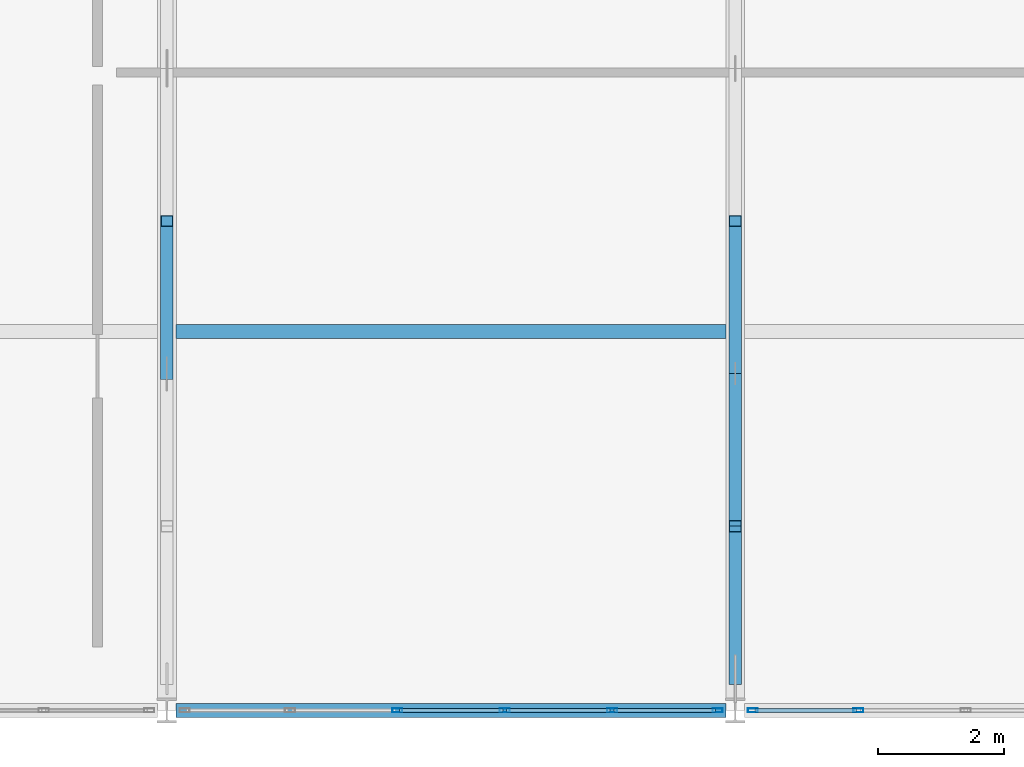
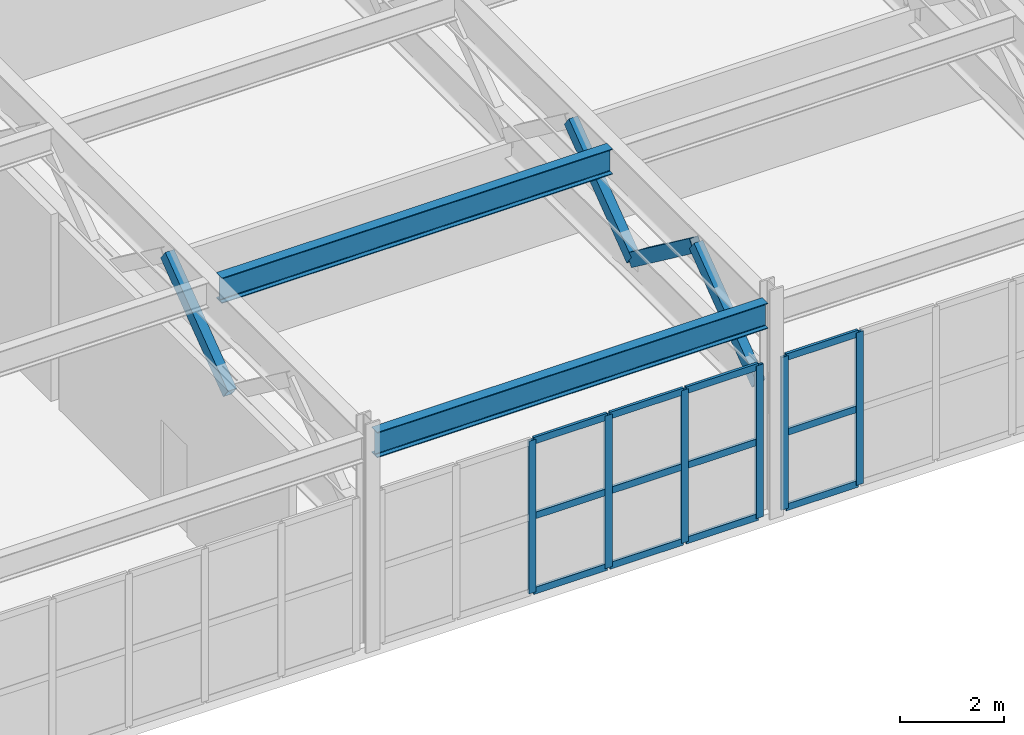
# One storey, part 37 of 210: 22 members, 2 beams, 2 elements without a shape of their own.
"""IFC4 building model written with IfcOpenShell, lengths in metres."""

from ifc_helpers import new_model, si_unit, direction, frame, origin, origin_2d, place, context, subcontext, project, spatial, hollow_rectangle, i_section, extrude, material, material_profile, profile_set, type_object, element, aggregate, save


model = new_model("IFC4")

# Units and contexts
model_context = context("Model", 3, precision=1e-05, world=origin(), true_north=direction((0.0, 1.0)))
body_context = subcontext(model_context, "Body", "Model", "MODEL_VIEW")
ifc_project = project(units=[si_unit("LENGTHUNIT", "METRE"), si_unit("AREAUNIT", "SQUARE_METRE"), si_unit("VOLUMEUNIT", "CUBIC_METRE"), si_unit("PLANEANGLEUNIT", "RADIAN"), si_unit("MASSUNIT", "GRAM", prefix="KILO")], contexts=[model_context])

# Site, building, storey
site_placement = place(None, origin())
site = spatial("IfcSite", under=ifc_project, at=site_placement, CompositionType="ELEMENT")
building_placement = place(site_placement, origin())
building = spatial("IfcBuilding", under=site, at=building_placement, Name="Kaldris Quays Convention Centre", CompositionType="ELEMENT")
storey_placement = place(building_placement, frame((0.0, 0.0, 6.0)))
storey = spatial("IfcBuildingStorey", under=building, at=storey_placement, Name="L01", CompositionType="ELEMENT", Elevation=6.0)

# Curtain wall, members
ifc_material_1 = material(Name="Anodized aluminium AW-6060 and triple glazing", Category="aluminium")
curtain_wall_type = type_object("IfcCurtainWallType", Name="UNITISED CURTAIN WALL CW05", PredefinedType="NOTDEFINED", material=ifc_material_1)
curtain_wall_1_placement = place(storey_placement, origin())
curtain_wall_1 = element("IfcCurtainWall", 1, at=curtain_wall_1_placement, inside=storey, type_object=curtain_wall_type, Name="L01 Unitised Curtain Wall CW05 67", PredefinedType="NOTDEFINED")
ifc_material_2 = material(Name="Anodized aluminium AW-6060", Category="aluminium")
ifc_material_profile_1 = material_profile(ifc_material_2, hollow_rectangle(XDim=0.06005859375, YDim=0.159912109375, WallThickness=0.00390625, at=origin_2d()), Name="RHS 160x60x4")
ifc_profile_set_1 = profile_set([ifc_material_profile_1], Name="Anodized aluminium AW-6060")
member_type_1 = type_object("IfcMemberType", Name="CURTAIN MULLION CWM1", PredefinedType="MULLION", material=ifc_profile_set_1)
member_1_placement = place(storey_placement, frame((59.64990234375, 16.0, 0.0), z_axis=(0.0, 0.0, 1.0), x_axis=(0.0, 1.0, 0.0)))
member_1 = element("IfcMember", 2, at=member_1_placement, type_object=member_type_1, Name="CW05 mullion 3", PredefinedType="MULLION", context=body_context, shape_type="SweptSolid", body=[
    extrude(hollow_rectangle(XDim=0.06005859375, YDim=0.159912109375, WallThickness=0.00390625, at=origin_2d()), origin(), (0.0, 0.0, 1.0), 3.60009765625),
])
member_2_placement = place(storey_placement, frame((61.35009765625, 16.0, 0.0), z_axis=(0.0, 0.0, 1.0), x_axis=(0.0, 1.0, 0.0)))
member_2 = element("IfcMember", 3, at=member_2_placement, type_object=member_type_1, Name="CW05 mullion 4", PredefinedType="MULLION", context=body_context, shape_type="SweptSolid", body=[
    extrude(hollow_rectangle(XDim=0.06005859375, YDim=0.159912109375, WallThickness=0.00390625, at=origin_2d()), origin(), (0.0, 0.0, 1.0), 3.60009765625),
])
member_3_placement = place(storey_placement, frame((63.050048828125, 16.0, 0.0), z_axis=(0.0, 0.0, 1.0), x_axis=(0.0, 1.0, 0.0)))
member_3 = element("IfcMember", 4, at=member_3_placement, type_object=member_type_1, Name="CW05 mullion 5", PredefinedType="MULLION", context=body_context, shape_type="SweptSolid", body=[
    extrude(hollow_rectangle(XDim=0.06005859375, YDim=0.159912109375, WallThickness=0.00390625, at=origin_2d()), origin(), (0.0, 0.0, 1.0), 3.60009765625),
])
member_4_placement = place(storey_placement, frame((64.719970703125, 16.0, 0.0), z_axis=(0.0, 0.0, 1.0), x_axis=(0.0, 1.0, 0.0)))
member_4 = element("IfcMember", 5, at=member_4_placement, type_object=member_type_1, Name="CW05 mullion 6", PredefinedType="MULLION", context=body_context, shape_type="SweptSolid", body=[
    extrude(hollow_rectangle(XDim=0.06005859375, YDim=0.159912109375, WallThickness=0.00390625, at=origin_2d()), origin(), (0.0, 0.0, 1.0), 3.60009765625),
])

curtain_wall_2_placement = place(storey_placement, origin())
curtain_wall_2 = element("IfcCurtainWall", 6, at=curtain_wall_2_placement, inside=storey, type_object=curtain_wall_type, Name="L01 Unitised Curtain Wall CW05 69", PredefinedType="NOTDEFINED")
member_5_placement = place(storey_placement, frame((65.280029296875, 16.0, 0.0), z_axis=(0.0, 0.0, 1.0), x_axis=(0.0, 1.0, 0.0)))
member_5 = element("IfcMember", 7, at=member_5_placement, type_object=member_type_1, Name="CW05 mullion 1", PredefinedType="MULLION", context=body_context, shape_type="SweptSolid", body=[
    extrude(hollow_rectangle(XDim=0.06005859375, YDim=0.159912109375, WallThickness=0.00390625, at=origin_2d()), origin(), (0.0, 0.0, 1.0), 3.60009765625),
])
member_6_placement = place(storey_placement, frame((66.949951171875, 16.0, 0.0), z_axis=(0.0, 0.0, 1.0), x_axis=(0.0, 1.0, 0.0)))
member_6 = element("IfcMember", 8, at=member_6_placement, type_object=member_type_1, Name="CW05 mullion 2", PredefinedType="MULLION", context=body_context, shape_type="SweptSolid", body=[
    extrude(hollow_rectangle(XDim=0.06005859375, YDim=0.159912109375, WallThickness=0.00390625, at=origin_2d()), origin(), (0.0, 0.0, 1.0), 3.60009765625),
])

# Member
ifc_material_profile_2 = material_profile(ifc_material_2, hollow_rectangle(XDim=0.06005859375, YDim=0.159912109375, WallThickness=0.00390625, at=origin_2d()), Name="RHS 160x60x4")
ifc_profile_set_2 = profile_set([ifc_material_profile_2], Name="Anodized aluminium AW-6060")
member_type_2 = type_object("IfcMemberType", Name="CURTAIN TRANSOM CWT2", PredefinedType="USERDEFINED", material=ifc_profile_set_2)
member_7_placement = place(storey_placement, frame((59.679931640625, 16.0, 0.030029296875), z_axis=(1.0, 0.0, 0.0), x_axis=(0.0, 1.0, 0.0)))
member_7 = element("IfcMember", 9, at=member_7_placement, type_object=member_type_2, Name="CW05 transom 3.1", ObjectType="TRANSOM", PredefinedType="USERDEFINED", context=body_context, shape_type="SweptSolid", body=[
    extrude(hollow_rectangle(XDim=0.06005859375, YDim=0.159912109375, WallThickness=0.00390625, at=origin_2d()), origin(), (0.0, 0.0, 1.0), 1.64013671875),
])

member_8_placement = place(storey_placement, frame((59.679931640625, 16.0, 1.800048828125), z_axis=(1.0, 0.0, 0.0), x_axis=(0.0, 1.0, 0.0)))
member_8 = element("IfcMember", 10, at=member_8_placement, type_object=member_type_2, Name="CW05 transom 3.2", ObjectType="TRANSOM", PredefinedType="USERDEFINED", context=body_context, shape_type="SweptSolid", body=[
    extrude(hollow_rectangle(XDim=0.06005859375, YDim=0.159912109375, WallThickness=0.00390625, at=origin_2d()), origin(), (0.0, 0.0, 1.0), 1.64013671875),
])

member_9_placement = place(storey_placement, frame((59.679931640625, 16.0, 3.570068359375), z_axis=(1.0, 0.0, 0.0), x_axis=(0.0, 1.0, 0.0)))
member_9 = element("IfcMember", 11, at=member_9_placement, type_object=member_type_2, Name="CW05 transom 3.3", ObjectType="TRANSOM", PredefinedType="USERDEFINED", context=body_context, shape_type="SweptSolid", body=[
    extrude(hollow_rectangle(XDim=0.06005859375, YDim=0.159912109375, WallThickness=0.00390625, at=origin_2d()), origin(), (0.0, 0.0, 1.0), 1.64013671875),
])

member_10_placement = place(storey_placement, frame((61.3798828125, 16.0, 0.030029296875), z_axis=(1.0, 0.0, 0.0), x_axis=(0.0, 1.0, 0.0)))
member_10 = element("IfcMember", 12, at=member_10_placement, type_object=member_type_2, Name="CW05 transom 4.1", ObjectType="TRANSOM", PredefinedType="USERDEFINED", context=body_context, shape_type="SweptSolid", body=[
    extrude(hollow_rectangle(XDim=0.06005859375, YDim=0.159912109375, WallThickness=0.00390625, at=origin_2d()), origin(), (0.0, 0.0, 1.0), 1.64013671875),
])

member_11_placement = place(storey_placement, frame((61.3798828125, 16.0, 1.800048828125), z_axis=(1.0, 0.0, 0.0), x_axis=(0.0, 1.0, 0.0)))
member_11 = element("IfcMember", 13, at=member_11_placement, type_object=member_type_2, Name="CW05 transom 4.2", ObjectType="TRANSOM", PredefinedType="USERDEFINED", context=body_context, shape_type="SweptSolid", body=[
    extrude(hollow_rectangle(XDim=0.06005859375, YDim=0.159912109375, WallThickness=0.00390625, at=origin_2d()), origin(), (0.0, 0.0, 1.0), 1.64013671875),
])

member_12_placement = place(storey_placement, frame((61.3798828125, 16.0, 3.570068359375), z_axis=(1.0, 0.0, 0.0), x_axis=(0.0, 1.0, 0.0)))
member_12 = element("IfcMember", 14, at=member_12_placement, type_object=member_type_2, Name="CW05 transom 4.3", ObjectType="TRANSOM", PredefinedType="USERDEFINED", context=body_context, shape_type="SweptSolid", body=[
    extrude(hollow_rectangle(XDim=0.06005859375, YDim=0.159912109375, WallThickness=0.00390625, at=origin_2d()), origin(), (0.0, 0.0, 1.0), 1.64013671875),
])

member_13_placement = place(storey_placement, frame((63.080078125, 16.0, 0.030029296875), z_axis=(1.0, 0.0, 0.0), x_axis=(0.0, 1.0, 0.0)))
member_13 = element("IfcMember", 15, at=member_13_placement, type_object=member_type_2, Name="CW05 transom 5.1", ObjectType="TRANSOM", PredefinedType="USERDEFINED", context=body_context, shape_type="SweptSolid", body=[
    extrude(hollow_rectangle(XDim=0.06005859375, YDim=0.159912109375, WallThickness=0.00390625, at=origin_2d()), origin(), (0.0, 0.0, 1.0), 1.60986328125),
])

member_14_placement = place(storey_placement, frame((63.080078125, 16.0, 1.800048828125), z_axis=(1.0, 0.0, 0.0), x_axis=(0.0, 1.0, 0.0)))
member_14 = element("IfcMember", 16, at=member_14_placement, type_object=member_type_2, Name="CW05 transom 5.2", ObjectType="TRANSOM", PredefinedType="USERDEFINED", context=body_context, shape_type="SweptSolid", body=[
    extrude(hollow_rectangle(XDim=0.06005859375, YDim=0.159912109375, WallThickness=0.00390625, at=origin_2d()), origin(), (0.0, 0.0, 1.0), 1.60986328125),
])

member_15_placement = place(storey_placement, frame((63.080078125, 16.0, 3.570068359375), z_axis=(1.0, 0.0, 0.0), x_axis=(0.0, 1.0, 0.0)))
member_15 = element("IfcMember", 17, at=member_15_placement, type_object=member_type_2, Name="CW05 transom 5.3", ObjectType="TRANSOM", PredefinedType="USERDEFINED", context=body_context, shape_type="SweptSolid", body=[
    extrude(hollow_rectangle(XDim=0.06005859375, YDim=0.159912109375, WallThickness=0.00390625, at=origin_2d()), origin(), (0.0, 0.0, 1.0), 1.60986328125),
])

aggregate(curtain_wall_1, [member_1, member_2, member_3, member_4, member_7, member_8, member_9, member_10, member_11, member_12, member_13, member_14, member_15])

member_16_placement = place(storey_placement, frame((65.31005859375, 16.0, 0.030029296875), z_axis=(1.0, 0.0, 0.0), x_axis=(0.0, 1.0, 0.0)))
member_16 = element("IfcMember", 18, at=member_16_placement, type_object=member_type_2, Name="CW05 transom 1.1", ObjectType="TRANSOM", PredefinedType="USERDEFINED", context=body_context, shape_type="SweptSolid", body=[
    extrude(hollow_rectangle(XDim=0.06005859375, YDim=0.159912109375, WallThickness=0.00390625, at=origin_2d()), origin(), (0.0, 0.0, 1.0), 1.60986328125),
])

member_17_placement = place(storey_placement, frame((65.31005859375, 16.0, 1.800048828125), z_axis=(1.0, 0.0, 0.0), x_axis=(0.0, 1.0, 0.0)))
member_17 = element("IfcMember", 19, at=member_17_placement, type_object=member_type_2, Name="CW05 transom 1.2", ObjectType="TRANSOM", PredefinedType="USERDEFINED", context=body_context, shape_type="SweptSolid", body=[
    extrude(hollow_rectangle(XDim=0.06005859375, YDim=0.159912109375, WallThickness=0.00390625, at=origin_2d()), origin(), (0.0, 0.0, 1.0), 1.60986328125),
])

member_18_placement = place(storey_placement, frame((65.31005859375, 16.0, 3.570068359375), z_axis=(1.0, 0.0, 0.0), x_axis=(0.0, 1.0, 0.0)))
member_18 = element("IfcMember", 20, at=member_18_placement, type_object=member_type_2, Name="CW05 transom 1.3", ObjectType="TRANSOM", PredefinedType="USERDEFINED", context=body_context, shape_type="SweptSolid", body=[
    extrude(hollow_rectangle(XDim=0.06005859375, YDim=0.159912109375, WallThickness=0.00390625, at=origin_2d()), origin(), (0.0, 0.0, 1.0), 1.60986328125),
])

aggregate(curtain_wall_2, [member_5, member_6, member_16, member_17, member_18])

# Beams
ifc_material_3 = material(Name="Steel S355J2", Category="steel")
ifc_material_profile_3 = material_profile(ifc_material_3, i_section(OverallWidth=0.219970703125, OverallDepth=0.60009765625, WebThickness=0.011962890625, FlangeThickness=0.01904296875, FilletRadius=0.02392578125, at=origin_2d()), Name="IPE 600")
ifc_profile_set_3 = profile_set([ifc_material_profile_3], Name="Steel S355J2")
beam_type = type_object("IfcBeamType", Name="STRUCTURAL BEAM BM10", PredefinedType="BEAM", material=ifc_profile_set_3)
for number, where, z_axis, x_axis, name in (
    (21, (56.14501953125, 16.0, 4.758056640625), (1.0, 0.0, 0.0), (0.0, 1.0, 0.0), "L01 Ballroom Tie Beam BM10"),
    (22, (56.14501953125, 22.0, 4.758056640625), (1.0, 0.0, 0.0), (0.0, 1.0, 0.0), "L01 Ballroom Tie Beam BM10"),
):
    element("IfcBeam", number, at=place(storey_placement, frame(where, z_axis=z_axis, x_axis=x_axis)), inside=storey, type_object=beam_type, Name=name, PredefinedType="BEAM", context=body_context, shape_type="SweptSolid", body=[
        extrude(i_section(OverallWidth=0.219970703125, OverallDepth=0.60009765625, WebThickness=0.011962890625, FlangeThickness=0.01904296875, FilletRadius=0.02392578125, at=origin_2d()), origin(), (0.0, 0.0, 1.0), 8.7099609375),
    ])

# Members
ifc_material_4 = material(Name="Steel S355J2H", Category="steel")
ifc_material_profile_4 = material_profile(ifc_material_4, hollow_rectangle(XDim=0.199951171875, YDim=0.300048828125, WallThickness=0.012451171875, at=origin_2d()), Name="RHS 300x200x12.5")
ifc_profile_set_4 = profile_set([ifc_material_profile_4], Name="Steel S355J2H")
member_type_3 = type_object("IfcMemberType", Name="STRUCTURAL MEMBER TTD1", PredefinedType="BRACE", material=ifc_profile_set_4)
for number, where, z_axis, x_axis, name in (
    (23, (56.0, 21.333251953125, 2.75), (0.0, 0.800708018983, 0.599054812464), (-1.0, 0.0, 0.0), "Transfer Truss TT05 Diagonal 3"),
    (24, (65.0, 16.5, 2.75), (0.0, 0.800708018983, 0.599054812464), (-1.0, 0.0, 0.0), "Transfer Truss TT06 Diagonal 1"),
):
    element("IfcMember", number, at=place(storey_placement, frame(where, z_axis=z_axis, x_axis=x_axis)), inside=storey, type_object=member_type_3, Name=name, PredefinedType="BRACE", context=body_context, shape_type="SweptSolid", body=[
        extrude(hollow_rectangle(XDim=0.199951171875, YDim=0.300048828125, WallThickness=0.012451171875, at=origin_2d()), origin(), (0.0, 0.0, 1.0), 3.018310546875),
    ])
member_19_placement = place(storey_placement, frame((65.0, 21.333251953125, 2.75), z_axis=(0.0, -0.800678988238, 0.599093613548), x_axis=(1.0, 0.0, 0.0)))
element("IfcMember", 25, at=member_19_placement, inside=storey, type_object=member_type_3, Name="Transfer Truss TT06 Diagonal 2", PredefinedType="BRACE", context=body_context, shape_type="SweptSolid", body=[
    extrude(hollow_rectangle(XDim=0.199951171875, YDim=0.300048828125, WallThickness=0.012451171875, at=origin_2d()), origin(), (0.0, 0.0, 1.0), 3.01806640625),
])
member_20_placement = place(storey_placement, frame((65.0, 21.333251953125, 2.75), z_axis=(0.0, 0.800708018983, 0.599054812464), x_axis=(-1.0, 0.0, 0.0)))
element("IfcMember", 26, at=member_20_placement, inside=storey, type_object=member_type_3, Name="Transfer Truss TT06 Diagonal 3", PredefinedType="BRACE", context=body_context, shape_type="SweptSolid", body=[
    extrude(hollow_rectangle(XDim=0.199951171875, YDim=0.300048828125, WallThickness=0.012451171875, at=origin_2d()), origin(), (0.0, 0.0, 1.0), 3.018310546875),
])

save(model, "model.ifc")
